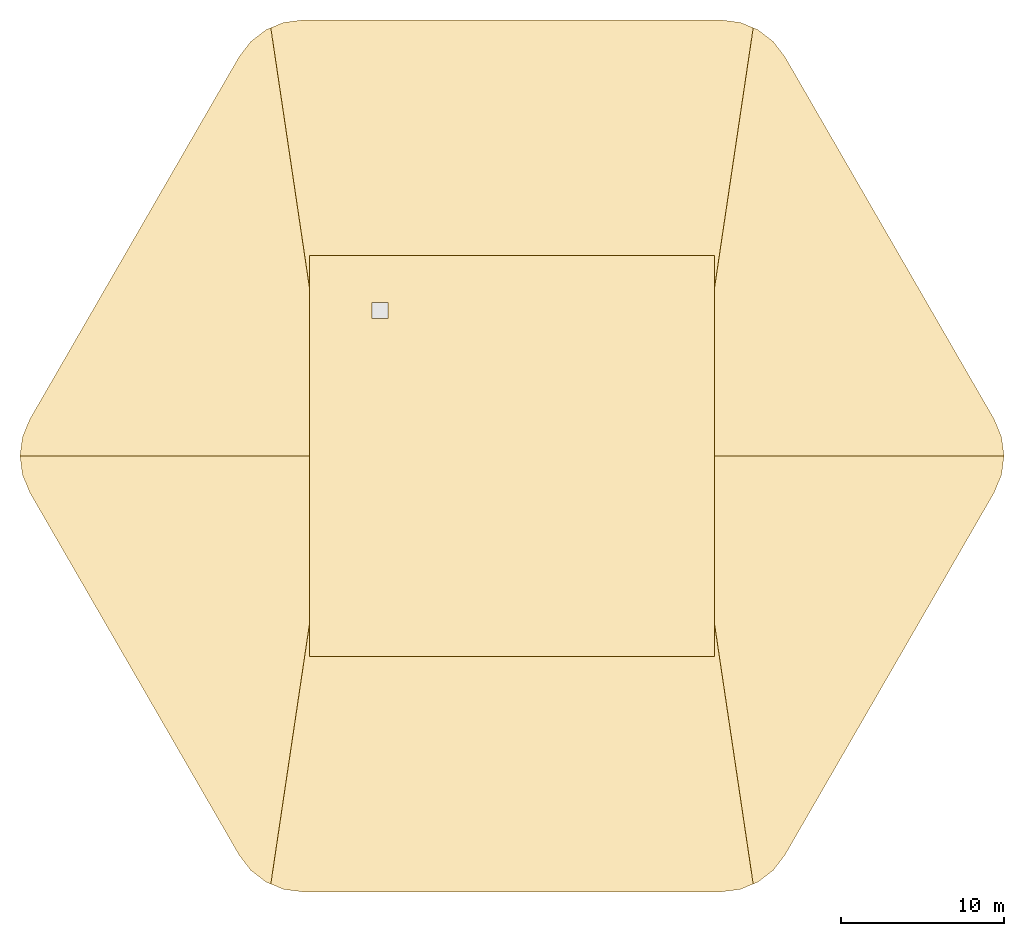
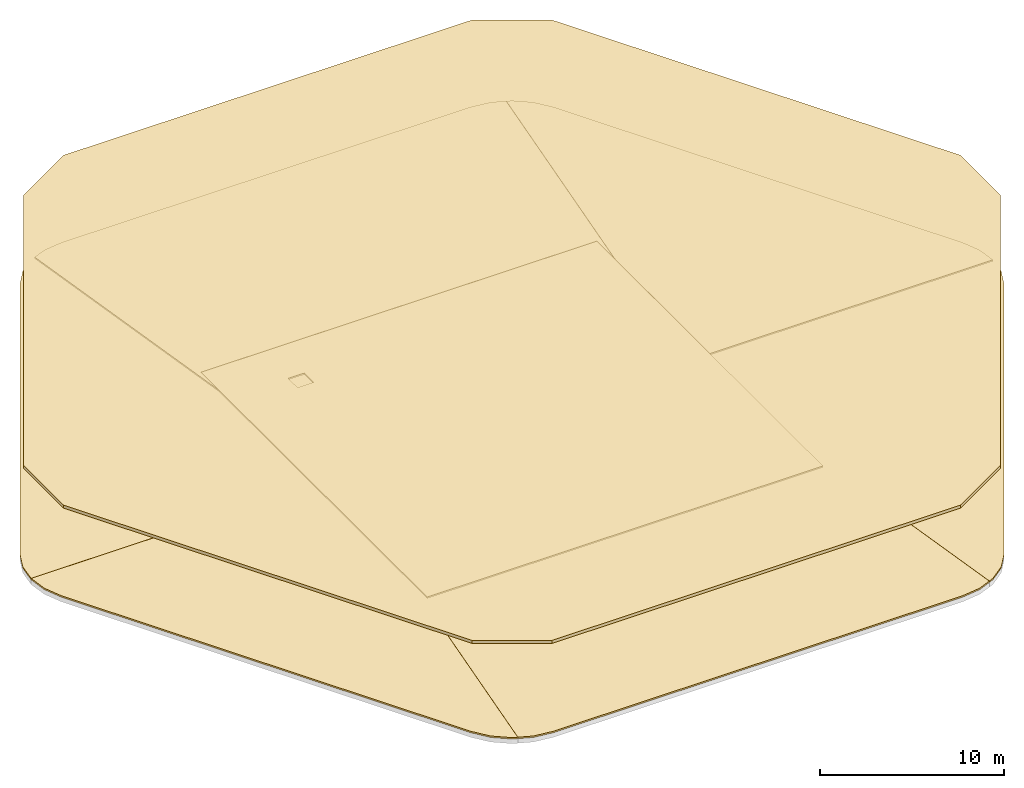
# One storey, part 2 of 2: 8 coverings.
"""IFC4 building model written with IfcOpenShell, lengths in metres."""

import ifcopenshell
import ifcopenshell.guid

model = None  # the IFC model being written
_history = None  # IfcOwnerHistory: only IFC2X3 demands one
_inside = {}  # id of a spatial element -> (the spatial element, [elements in it])
_under = {}  # id of a project, library or spatial element -> (it, [spatial elements below it])
_declared = {}  # id of a project -> (the project, [libraries it declares])
_typed = {}  # id of a type object -> (the type object, [elements of that type])
_made_of = {}  # id of a material, layer set ... -> (it, [elements and type objects made of it])


def new_model(schema):
    """Start an empty IFC model of exactly this schema.

    Asked for "IFC4X3", IfcOpenShell would pick the latest addendum, in which some entities
    have other attributes; the version numbers below select the first issue.
    IFC2X3 requires an IfcOwnerHistory on every rooted entity: one is made here for all.
    """
    global model, _history
    if schema == "IFC4X3":
        model = ifcopenshell.file(schema_version=(4, 3, 0, 0))
    else:
        model = ifcopenshell.file(schema=schema)
    _inside.clear()
    _under.clear()
    _declared.clear()
    _typed.clear()
    _made_of.clear()
    _history = None
    if model.schema == "IFC2X3":
        org = make("IfcOrganization", Name="unknown")
        user = make(
            "IfcPersonAndOrganization",
            ThePerson=make("IfcPerson", FamilyName="unknown"),
            TheOrganization=org,
        )
        app = make(
            "IfcApplication",
            ApplicationDeveloper=org,
            Version="unknown",
            ApplicationFullName="unknown",
            ApplicationIdentifier="unknown",
        )
        _history = make(
            "IfcOwnerHistory",
            OwningUser=user,
            OwningApplication=app,
            ChangeAction="ADDED",
            CreationDate=0,
        )
    return model


def make(cls, **values):
    """One entity of the class cls with the attributes given. An attribute that is None is left unset."""
    return model.create_entity(
        cls, **{name: value for name, value in values.items() if value is not None}
    )


def rooted(cls, **values):
    """An entity with a GlobalId (a new one), such as an element, a storey or a relation."""
    return make(cls, GlobalId=ifcopenshell.guid.new(), OwnerHistory=_history, **values)


def si_unit(unit_type, name, prefix=None):
    """IfcSIUnit, for example si_unit("LENGTHUNIT", "METRE", prefix="MILLI")."""
    return make("IfcSIUnit", UnitType=unit_type, Prefix=prefix, Name=name)


def assignment(units):
    """IfcUnitAssignment: the units of a project."""
    return None if units is None else make("IfcUnitAssignment", Units=units)


def point(xyz):
    """IfcCartesianPoint."""
    return None if xyz is None else make("IfcCartesianPoint", Coordinates=xyz)


def direction(xyz):
    """IfcDirection."""
    return None if xyz is None else make("IfcDirection", DirectionRatios=xyz)


def frame(location, z_axis=None, x_axis=None):
    """IfcAxis2Placement3D, a coordinate frame: its origin and axes. An axis left out is left unset."""
    return make(
        "IfcAxis2Placement3D",
        Location=point(location),
        Axis=direction(z_axis),
        RefDirection=direction(x_axis),
    )


def origin():
    """The frame at (0, 0, 0) with its axes left unset."""
    return frame((0.0, 0.0, 0.0))


def place(relative_to, where):
    """IfcLocalPlacement: puts the frame where relative to a parent placement (None: the world)."""
    return make(
        "IfcLocalPlacement", PlacementRelTo=relative_to, RelativePlacement=where
    )


def context(
    kind, dimensions, precision=None, world=None, true_north=None, identifier=None
):
    """IfcGeometricRepresentationContext, for example the 3D "Model" context."""
    return make(
        "IfcGeometricRepresentationContext",
        ContextIdentifier=identifier,
        ContextType=kind,
        CoordinateSpaceDimension=dimensions,
        Precision=precision,
        WorldCoordinateSystem=world,
        TrueNorth=true_north,
    )


def subcontext(parent, identifier, kind, view, scale=None):
    """IfcGeometricRepresentationSubContext, for example "Body" below "Model"."""
    return make(
        "IfcGeometricRepresentationSubContext",
        ContextIdentifier=identifier,
        ContextType=kind,
        ParentContext=parent,
        TargetScale=scale,
        TargetView=view,
    )


def project(units=None, contexts=None):
    """IfcProject with its units and contexts."""
    return rooted(
        "IfcProject",
        Name="project",
        RepresentationContexts=contexts,
        UnitsInContext=assignment(units),
    )


def spatial(cls, under=None, at=None, **own):
    """A site, building, storey or space (cls), placed at a placement, below another one or the project."""
    s = rooted(cls, ObjectPlacement=at, **own)
    if under is not None:
        _under.setdefault(under.id(), (under, []))[1].append(s)
    return s


def polyline(points):
    """IfcPolyline through the points."""
    return make("IfcPolyline", Points=[point(p) for p in points])


def outline(outer, holes=None, kind="AREA"):
    """IfcArbitraryClosedProfileDef: a profile drawn as a closed curve; with holes, ...WithVoids."""
    if holes is None:
        return make("IfcArbitraryClosedProfileDef", ProfileType=kind, OuterCurve=outer)
    return make(
        "IfcArbitraryProfileDefWithVoids",
        ProfileType=kind,
        OuterCurve=outer,
        InnerCurves=holes,
    )


def extrude(swept, where, along, depth):
    """IfcExtrudedAreaSolid: the profile swept, set in the frame where, extruded along a direction by depth."""
    return make(
        "IfcExtrudedAreaSolid",
        SweptArea=swept,
        Position=where,
        ExtrudedDirection=direction(along),
        Depth=depth,
    )


def shape(context_of_items, identifier, shape_type, items):
    """IfcShapeRepresentation: the items that make up one representation, for example the "Body"."""
    return make(
        "IfcShapeRepresentation",
        ContextOfItems=context_of_items,
        RepresentationIdentifier=identifier,
        RepresentationType=shape_type,
        Items=items,
    )


def material(Name=None, Category=None):
    """IfcMaterial."""
    return make("IfcMaterial", Name=Name, Category=Category)


def layer(
    of_material, thickness, ventilated=None, Name=None, Category=None, Priority=None
):
    """IfcMaterialLayer: one layer of a wall or slab, of a material (None: an air gap)."""
    return make(
        "IfcMaterialLayer",
        Material=of_material,
        LayerThickness=thickness,
        IsVentilated=ventilated,
        Name=Name,
        Category=Category,
        Priority=Priority,
    )


def layer_set(layers, Name=None):
    """IfcMaterialLayerSet."""
    return make("IfcMaterialLayerSet", MaterialLayers=layers, LayerSetName=Name)


def made_of(thing, what):
    """Note that an element or type object is made of a material, layer set ...; save() writes the relation."""
    if what is not None:
        _made_of.setdefault(what.id(), (what, []))[1].append(thing)
    return thing


def type_object(cls, material=None, **own):
    """A type object (cls), such as IfcWallType, which elements share."""
    return made_of(rooted(cls, **own), material)


def element(
    cls,
    number,
    at=None,
    inside=None,
    cuts=None,
    type_object=None,
    material=None,
    context=None,
    identifier="Body",
    shape_type=None,
    held_by="IfcProductDefinitionShape",
    body=None,
    shapes=None,
    **own,
):
    """One element of the class cls, such as IfcWall. Its Tag is "e" and its number.

    at: its placement. inside: the storey or other place that contains it. cuts: it is an
    opening in that element (IfcRelVoidsElement). A single representation is given by context,
    identifier, shape_type and body (its items); several are given by shapes. held_by: the class
    of the entity that holds the representations. save() writes the other relations.
    """
    e = rooted(cls, Tag="e%d" % number, ObjectPlacement=at, **own)
    if body is not None:
        shapes = [shape(context, identifier, shape_type, body)]
    if shapes is not None:
        e.Representation = make(held_by, Representations=shapes)
    if inside is not None:
        _inside.setdefault(inside.id(), (inside, []))[1].append(e)
    if cuts is not None:
        rooted(
            "IfcRelVoidsElement", RelatingBuildingElement=cuts, RelatedOpeningElement=e
        )
    if type_object is not None:
        _typed.setdefault(type_object.id(), (type_object, []))[1].append(e)
    return made_of(e, material)


def aggregate(whole, parts):
    """IfcRelAggregates: a whole, such as a stair, and the parts it consists of."""
    return rooted("IfcRelAggregates", RelatingObject=whole, RelatedObjects=parts)


def save(model, path):
    """Write the relations noted so far, then the file.

    IfcRelAggregates (storeys below a building ...), IfcRelContainedInSpatialStructure (elements
    in a storey), IfcRelDefinesByType, IfcRelAssociatesMaterial and IfcRelDeclares: one each for
    every whole, place, type object, material and project.
    """
    for whole, parts in _under.values():
        aggregate(whole, parts)
    for where, things in _inside.values():
        rooted(
            "IfcRelContainedInSpatialStructure",
            RelatedElements=things,
            RelatingStructure=where,
        )
    for kind, things in _typed.values():
        rooted("IfcRelDefinesByType", RelatedObjects=things, RelatingType=kind)
    for what, things in _made_of.values():
        rooted("IfcRelAssociatesMaterial", RelatedObjects=things, RelatingMaterial=what)
    for by, libraries in _declared.values():
        rooted("IfcRelDeclares", RelatingContext=by, RelatedDefinitions=libraries)
    model.write(path)


model = new_model("IFC4")

# Units and contexts
model_context = context("Model", 3, precision=1e-05, world=origin(), true_north=direction((0.0, 1.0)))
body_context = subcontext(model_context, "Body", "Model", "MODEL_VIEW")
ifc_project = project(units=[si_unit("LENGTHUNIT", "METRE"), si_unit("AREAUNIT", "SQUARE_METRE"), si_unit("VOLUMEUNIT", "CUBIC_METRE"), si_unit("PLANEANGLEUNIT", "RADIAN"), si_unit("MASSUNIT", "GRAM", prefix="KILO")], contexts=[model_context])

# Site, building, storey
site_placement = place(None, origin())
site = spatial("IfcSite", under=ifc_project, at=site_placement, CompositionType="ELEMENT")
building_placement = place(site_placement, origin())
building = spatial("IfcBuilding", under=site, at=building_placement, Name="Tarfa Lantern Tower", CompositionType="ELEMENT")
storey_placement = place(building_placement, frame((0.0, 0.0, 408.300048828125)))
storey = spatial("IfcBuildingStorey", under=building, at=storey_placement, Name="ROOF", CompositionType="ELEMENT", Elevation=408.300048828125)

# Coverings
ifc_material_1 = material(Name="Aluminium louvres on a steel grid", Category="steel")
ifc_layer_1 = layer(ifc_material_1, 0.199951171875)
ifc_layer_set_1 = layer_set([ifc_layer_1], Name="LV1 CROWN LOUVRE GRILLE 200")
covering_type_1 = type_object("IfcCoveringType", Name="LV1 CROWN LOUVRE GRILLE 200", PredefinedType="USERDEFINED", material=ifc_layer_set_1)
covering_1_placement = place(storey_placement, frame((0.0, 0.0, 5.800048828125)))
element("IfcCovering", 1, at=covering_1_placement, inside=storey, type_object=covering_type_1, Name="Crown louvre grille", ObjectType="LOUVRE GRILLE", PredefinedType="USERDEFINED", context=body_context, shape_type="SweptSolid", body=[
    extrude(outline(polyline([(29.402587890625, 2.173095703125), (29.402587890625, -2.173095703125), (16.583251953125, -24.376708984375), (12.8193359375, -26.550048828125), (-12.8193359375, -26.550048828125), (-16.583251953125, -24.376708984375), (-29.402587890625, -2.173095703125), (-29.402587890625, 2.173095703125), (-16.583251953125, 24.376708984375), (-12.8193359375, 26.550048828125), (12.8193359375, 26.550048828125), (16.583251953125, 24.376708984375), (29.402587890625, 2.173095703125)])), origin(), (0.0, 0.0, 1.0), 0.199951171875),
])
ifc_material_2 = material(Name="Bituminous membrane, insulation and concrete pavers", Category="concrete")
ifc_layer_2 = layer(ifc_material_2, 0.10009765625)
ifc_layer_set_2 = layer_set([ifc_layer_2], Name="RF1 ROOF MEMBRANE AND PAVERS 100")
covering_type_2 = type_object("IfcCoveringType", Name="RF1 ROOF MEMBRANE AND PAVERS 100", PredefinedType="ROOFING", material=ifc_layer_set_2)
covering_2_placement = place(storey_placement, origin())
element("IfcCovering", 2, at=covering_2_placement, inside=storey, type_object=covering_type_2, Name="Roofing Roof slab", PredefinedType="ROOFING", context=body_context, shape_type="SweptSolid", body=[
    extrude(outline(polyline([(-12.425048828125, -12.300048828125), (12.425048828125, -12.300048828125), (12.425048828125, 12.300048828125), (-12.425048828125, 12.300048828125), (-12.425048828125, -12.300048828125)]), holes=[polyline([(-8.60009765625, 8.425048828125), (-7.60009765625, 8.425048828125), (-7.60009765625, 9.425048828125), (-8.60009765625, 9.425048828125), (-8.60009765625, 8.425048828125)])]), origin(), (0.0, 0.0, 1.0), 0.099853515625),
])
covering_3_placement = place(storey_placement, origin())
element("IfcCovering", 3, at=covering_3_placement, inside=storey, type_object=covering_type_2, Name="Roofing Roof slab NE bay", PredefinedType="ROOFING", context=body_context, shape_type="SweptSolid", body=[
    extrude(outline(polyline([(29.58740234375, 2.2490234375), (16.741455078125, 24.498779296875), (16.026611328125, 25.4306640625), (15.094970703125, 26.145263671875), (14.802001953125, 26.2666015625), (12.427001953125, 10.2998046875), (12.427001953125, 0.001953125), (30.189697265625, 0.001953125), (30.036865234375, 1.1640625), (29.58740234375, 2.2490234375)])), origin(), (0.0, 0.0, 1.0), 0.099853515625),
])
covering_4_placement = place(storey_placement, origin())
element("IfcCovering", 4, at=covering_4_placement, inside=storey, type_object=covering_type_2, Name="Roofing Roof slab N bay", PredefinedType="ROOFING", context=body_context, shape_type="SweptSolid", body=[
    extrude(outline(polyline([(-12.427001953125, 10.3271484375), (-12.427001953125, 12.302001953125), (12.427001953125, 12.302001953125), (12.427001953125, 10.3271484375), (14.79833984375, 26.268310546875), (14.01025390625, 26.5947265625), (12.845947265625, 26.748046875), (-12.845947265625, 26.748046875), (-14.01025390625, 26.5947265625), (-14.79833984375, 26.268310546875), (-12.427001953125, 10.3271484375)])), origin(), (0.0, 0.0, 1.0), 0.099853515625),
])
covering_5_placement = place(storey_placement, origin())
element("IfcCovering", 5, at=covering_5_placement, inside=storey, type_object=covering_type_2, Name="Roofing Roof slab NW bay", PredefinedType="ROOFING", context=body_context, shape_type="SweptSolid", body=[
    extrude(outline(polyline([(-12.427001953125, 0.001953125), (-12.427001953125, 10.2998046875), (-14.802001953125, 26.2666015625), (-15.094970703125, 26.145263671875), (-16.026611328125, 25.4306640625), (-16.741455078125, 24.498779296875), (-29.58740234375, 2.2490234375), (-30.036865234375, 1.1640625), (-30.189697265625, 0.001953125), (-12.427001953125, 0.001953125)])), origin(), (0.0, 0.0, 1.0), 0.099853515625),
])
covering_6_placement = place(storey_placement, origin())
element("IfcCovering", 6, at=covering_6_placement, inside=storey, type_object=covering_type_2, Name="Roofing Roof slab SW bay", PredefinedType="ROOFING", context=body_context, shape_type="SweptSolid", body=[
    extrude(outline(polyline([(-12.427001953125, -10.2998046875), (-12.427001953125, -0.001953125), (-30.189697265625, -0.001953125), (-30.036865234375, -1.1640625), (-29.58740234375, -2.2490234375), (-16.741455078125, -24.498779296875), (-16.026611328125, -25.4306640625), (-15.094970703125, -26.145263671875), (-14.802001953125, -26.2666015625), (-12.427001953125, -10.2998046875)])), origin(), (0.0, 0.0, 1.0), 0.099853515625),
])
covering_7_placement = place(storey_placement, origin())
element("IfcCovering", 7, at=covering_7_placement, inside=storey, type_object=covering_type_2, Name="Roofing Roof slab S bay", PredefinedType="ROOFING", context=body_context, shape_type="SweptSolid", body=[
    extrude(outline(polyline([(12.427001953125, -10.3271484375), (12.427001953125, -12.302001953125), (-12.427001953125, -12.302001953125), (-12.427001953125, -10.3271484375), (-14.79833984375, -26.268310546875), (-14.01025390625, -26.5947265625), (-12.845947265625, -26.748046875), (12.845947265625, -26.748046875), (14.01025390625, -26.5947265625), (14.79833984375, -26.268310546875), (12.427001953125, -10.3271484375)])), origin(), (0.0, 0.0, 1.0), 0.099853515625),
])
covering_8_placement = place(storey_placement, origin())
element("IfcCovering", 8, at=covering_8_placement, inside=storey, type_object=covering_type_2, Name="Roofing Roof slab SE bay", PredefinedType="ROOFING", context=body_context, shape_type="SweptSolid", body=[
    extrude(outline(polyline([(12.427001953125, -0.001953125), (12.427001953125, -10.2998046875), (14.802001953125, -26.2666015625), (15.094970703125, -26.145263671875), (16.026611328125, -25.4306640625), (16.741455078125, -24.498779296875), (29.58740234375, -2.2490234375), (30.036865234375, -1.1640625), (30.189697265625, -0.001953125), (12.427001953125, -0.001953125)])), origin(), (0.0, 0.0, 1.0), 0.099853515625),
])

save(model, "model.ifc")
